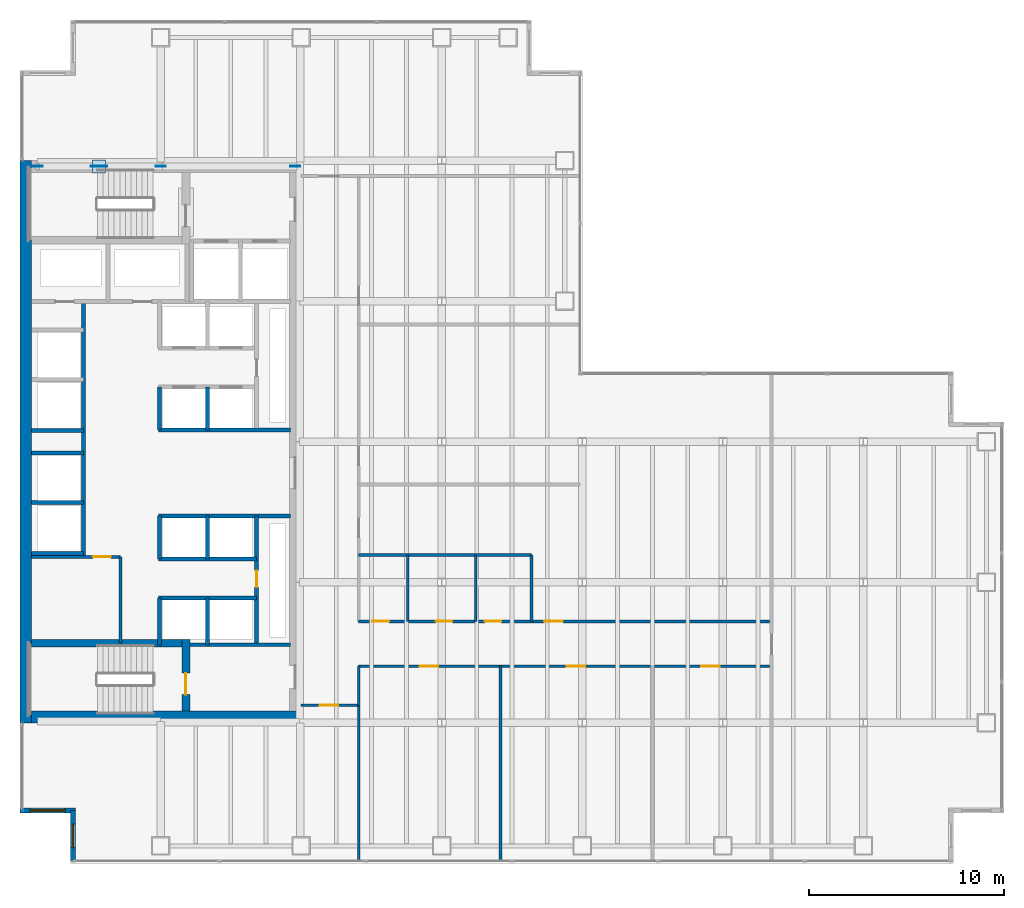
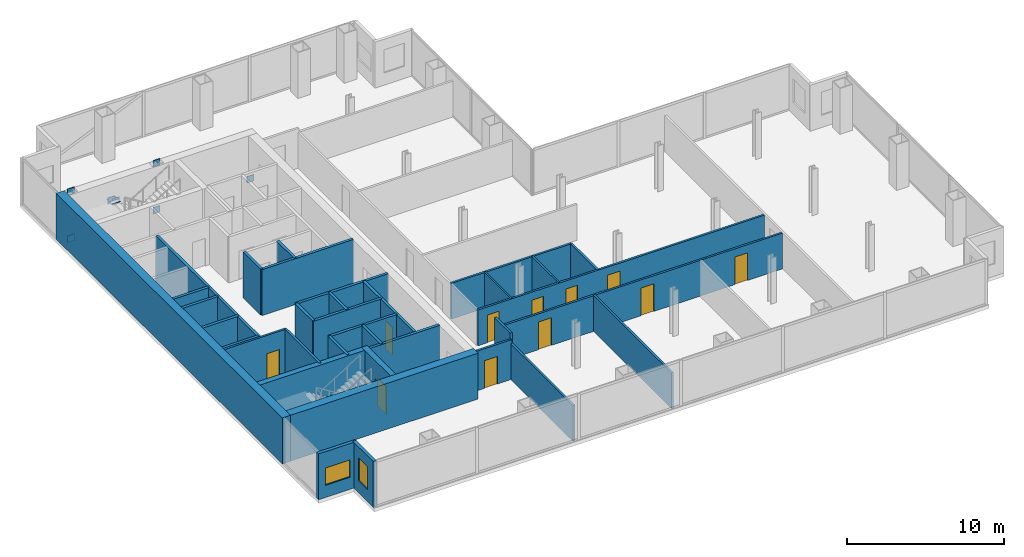
# One storey, part 20 of 23: 35 walls, 11 doors, 8 plates, 2 windows, 13 openings.
"""IFC4 building model written with IfcOpenShell, lengths in metres."""

from ifc_helpers import new_model, si_unit, direction, frame, frame_2d, origin, origin_2d, place, context, subcontext, project, spatial, rectangle, extrude, material, layer, layer_set, type_object, element, fill, save


model = new_model("IFC4")

# Units and contexts
model_context = context("Model", 3, precision=1e-05, world=origin(), true_north=direction((0.0, 1.0)))
body_context = subcontext(model_context, "Body", "Model", "MODEL_VIEW")
ifc_project = project(units=[si_unit("LENGTHUNIT", "METRE"), si_unit("AREAUNIT", "SQUARE_METRE"), si_unit("VOLUMEUNIT", "CUBIC_METRE"), si_unit("PLANEANGLEUNIT", "RADIAN"), si_unit("MASSUNIT", "GRAM", prefix="KILO")], contexts=[model_context])

# Site, building, storey
site_placement = place(None, origin())
site = spatial("IfcSite", under=ifc_project, at=site_placement, CompositionType="ELEMENT")
building_placement = place(site_placement, origin())
building = spatial("IfcBuilding", under=site, at=building_placement, Name="Cobrela Telecom Tower", CompositionType="ELEMENT")
storey_placement = place(building_placement, frame((0.0, 0.0, 88.89990234375)))
storey = spatial("IfcBuildingStorey", under=building, at=storey_placement, Name="L22", CompositionType="ELEMENT", Elevation=88.89990234375)

# Plates
ifc_material_1 = material(Name="Steel ASTM A572 Grade 50", Category="steel")
ifc_layer_1 = layer(ifc_material_1, 0.0419921875)
ifc_layer_set_1 = layer_set([ifc_layer_1], Name="Steel ASTM A572 Grade 50")
plate_type = type_object("IfcPlateType", Name="PLT-NODE-ND1", PredefinedType="USERDEFINED", material=ifc_layer_set_1)
for number, where, z_axis, x_axis, name in (
    (1, (0.89990234375, 35.699951171875, -0.294921875), (0.0, 0.0, 1.0), (1.0, 0.0, 0.0), "Steel node plate PLT-MBR-EXO-L22-N1-A-0"),
    (2, (7.199951171875, 35.699951171875, 3.35498046875), (0.0, 0.0, 1.0), (1.0, 0.0, 0.0), "Steel node plate PLT-MBR-EXO-L22-N1-A-1"),
    (3, (7.199951171875, 35.699951171875, -0.294921875), (0.0, 0.0, 1.0), (-1.0, 0.0, 0.0), "Steel node plate PLT-MBR-EXO-L22-N1-B1-0"),
    (4, (4.219482421875, 35.699951171875, 1.431640625), (0.0, 0.0, 1.0), (-1.0, 0.0, 0.0), "Steel node plate PLT-MBR-EXO-L22-N1-B1-1"),
    (5, (3.88037109375, 35.699951171875, 1.62841796875), (0.0, 0.0, 1.0), (-1.0, 0.0, 0.0), "Steel node plate PLT-MBR-EXO-L22-N1-B2-0"),
    (6, (0.89990234375, 35.699951171875, 3.35498046875), (0.0, 0.0, 1.0), (-1.0, 0.0, 0.0), "Steel node plate PLT-MBR-EXO-L22-N1-B2-1"),
):
    element("IfcPlate", number, at=place(storey_placement, frame(where, z_axis=z_axis, x_axis=x_axis)), inside=storey, type_object=plate_type, Name=name, ObjectType="GUSSET PLATE", PredefinedType="USERDEFINED", context=body_context, shape_type="SweptSolid", body=[
        extrude(rectangle(XDim=0.510009765625, YDim=0.044921875, at=origin_2d()), origin(), (0.0, 0.0, 1.0), 0.510009765625),
    ])
plate_1_placement = place(storey_placement, frame((4.050048828125, 35.699951171875, 1.7626953125), z_axis=(0.0, 0.0, 1.0), x_axis=(1.0, 0.0, 0.0)))
element("IfcPlate", 7, at=plate_1_placement, inside=storey, type_object=plate_type, Name="L22 Core Flange Steel X-Brace Central X-Crossing Gusset Plate", ObjectType="GUSSET PLATE", PredefinedType="USERDEFINED", context=body_context, shape_type="SweptSolid", body=[
    extrude(rectangle(XDim=0.64990234375, YDim=0.64990234375, at=origin_2d()), origin(), (0.0, 0.0, 1.0), 0.044921875),
])
plate_2_placement = place(storey_placement, frame((14.10009765625, 35.699951171875, -0.294921875), z_axis=(0.0, 0.0, 1.0), x_axis=(-1.0, 0.0, 0.0)))
element("IfcPlate", 8, at=plate_2_placement, inside=storey, type_object=plate_type, Name="Steel node plate PLT-MBR-EXO-L22-N2-0", ObjectType="GUSSET PLATE", PredefinedType="USERDEFINED", context=body_context, shape_type="SweptSolid", body=[
    extrude(rectangle(XDim=0.510009765625, YDim=0.044921875, at=origin_2d()), origin(), (0.0, 0.0, 1.0), 0.510009765625),
])

# Walls
ifc_material_2 = material(Name="Concrete C50/60", Category="concrete")
ifc_layer_2 = layer(ifc_material_2, 0.60009765625)
ifc_layer_set_2 = layer_set([ifc_layer_2], Name="Concrete C50/60")
wall_type_1 = type_object("IfcWallType", Name="WALL-CORE-C50-600", PredefinedType="SHEAR", material=ifc_layer_set_2)
wall_1_placement = place(storey_placement, frame((0.300048828125, 7.199951171875, 0.0), z_axis=(0.0, 0.0, 1.0), x_axis=(0.0, 1.0, 0.0)))
element("IfcWall", 9, at=wall_1_placement, inside=storey, type_object=wall_type_1, Name="L22 West Core Shear Wall", PredefinedType="SHEAR", context=body_context, shape_type="SweptSolid", body=[
    extrude(rectangle(XDim=28.800048828125, YDim=0.60009765625, at=frame_2d((14.39990234375, 0.0))), origin(), (0.0, 0.0, 1.0), 3.570068359375),
])
wall_2_placement = place(storey_placement, frame((0.60009765625, 7.5, 0.0), z_axis=(0.0, 0.0, 1.0), x_axis=(1.0, 0.0, 0.0)))
element("IfcWall", 10, at=wall_2_placement, inside=storey, type_object=wall_type_1, Name="L22 South Core Shear Wall", PredefinedType="SHEAR", context=body_context, shape_type="SweptSolid", body=[
    extrude(rectangle(XDim=13.7998046875, YDim=0.60009765625, at=frame_2d((6.89990234375, 0.0))), origin(), (0.0, 0.0, 1.0), 3.570068359375),
])

# Wall, opening, window
ifc_material_3 = material(Name="Concrete C40/50", Category="concrete")
ifc_layer_3 = layer(ifc_material_3, 0.239990234375)
ifc_layer_set_3 = layer_set([ifc_layer_3], Name="Concrete C40/50")
wall_type_2 = type_object("IfcWallType", Name="WALL-EXT-300", PredefinedType="STANDARD", material=ifc_layer_set_3)
wall_3_placement = place(storey_placement, frame((2.7099609375, 0.1201171875, 0.0), z_axis=(0.0, 0.0, 1.0), x_axis=(0.0, 1.0, 0.0)))
wall_3 = element("IfcWall", 11, at=wall_3_placement, inside=storey, type_object=wall_type_2, Name="L22 Insulated Facade Wall 01", PredefinedType="STANDARD", context=body_context, shape_type="SweptSolid", body=[
    extrude(rectangle(XDim=2.58984375, YDim=0.239990234375, at=frame_2d((1.294921875, 0.0))), origin(), (0.0, 0.0, 1.0), 3.570068359375),
])
opening_1_placement = place(wall_3_placement, frame((0.695068359375, 0.0, 0.949951171875)))
opening_1 = element("IfcOpeningElement", 12, at=opening_1_placement, cuts=wall_3, Name="Opening WN-19", PredefinedType="OPENING", context=body_context, shape_type="SweptSolid", body=[
    extrude(rectangle(XDim=1.199951171875, YDim=1.800048828125, at=frame_2d((0.60009765625, 0.89990234375))), frame((0.0, 0.1318359375, 0.0), z_axis=(0.0, -1.0, 0.0), x_axis=(1.0, 0.0, 0.0)), (0.0, 0.0, 1.0), 0.263916015625),
])
ifc_material_4 = material(Name="Solar-Control Bronze Low-E Glass", Category="glass")
window_type_1 = type_object("IfcWindowType", Name="WIN-MOD-1200", PartitioningType="SINGLE_PANEL", PredefinedType="WINDOW", material=ifc_material_4)
window_1_placement = place(opening_1_placement, origin())
window_1 = element("IfcWindow", 13, at=window_1_placement, inside=storey, type_object=window_type_1, Name="L22 Corner Notch Facade Window 100", OverallHeight=1.800048828125, OverallWidth=1.199951171875, PartitioningType="SINGLE_PANEL", PredefinedType="WINDOW", context=body_context, shape_type="SweptSolid", body=[
    extrude(rectangle(XDim=1.199951171875, YDim=1.800048828125, at=frame_2d((0.60009765625, 0.89990234375))), frame((0.0, 0.030029296875, 0.0), z_axis=(0.0, -1.0, 0.0), x_axis=(1.0, 0.0, 0.0)), (0.0, 0.0, 1.0), 0.06005859375),
])
fill(opening_1, window_1)

wall_4_placement = place(storey_placement, frame((2.830078125, 2.7099609375, 0.0), z_axis=(0.0, 0.0, 1.0), x_axis=(-1.0, 0.0, 0.0)))
wall_4 = element("IfcWall", 14, at=wall_4_placement, inside=storey, type_object=wall_type_2, Name="L22 Insulated Facade Wall 02", PredefinedType="STANDARD", context=body_context, shape_type="SweptSolid", body=[
    extrude(rectangle(XDim=2.830078125, YDim=0.239990234375, at=frame_2d((1.4150390625, 0.0))), origin(), (0.0, 0.0, 1.0), 3.570068359375),
])
opening_2_placement = place(wall_4_placement, frame((0.514892578125, 0.0, 0.949951171875)))
opening_2 = element("IfcOpeningElement", 15, at=opening_2_placement, cuts=wall_4, Name="Opening WN-27", PredefinedType="OPENING", context=body_context, shape_type="SweptSolid", body=[
    extrude(rectangle(XDim=1.800048828125, YDim=1.35009765625, at=frame_2d((0.89990234375, 0.675048828125))), frame((0.0, 0.1318359375, 0.0), z_axis=(0.0, -1.0, 0.0), x_axis=(1.0, 0.0, 0.0)), (0.0, 0.0, 1.0), 0.263916015625),
])
window_type_2 = type_object("IfcWindowType", Name="WIN-CLER-1800", PartitioningType="SINGLE_PANEL", PredefinedType="WINDOW", material=ifc_material_4)
window_2_placement = place(opening_2_placement, origin())
window_2 = element("IfcWindow", 16, at=window_2_placement, inside=storey, type_object=window_type_2, Name="L22 Corner Notch Facade Window 101", OverallHeight=1.35009765625, OverallWidth=1.800048828125, PartitioningType="SINGLE_PANEL", PredefinedType="WINDOW", context=body_context, shape_type="SweptSolid", body=[
    extrude(rectangle(XDim=1.800048828125, YDim=1.35009765625, at=frame_2d((0.89990234375, 0.675048828125))), frame((0.0, 0.030029296875, 0.0), z_axis=(0.0, -1.0, 0.0), x_axis=(1.0, 0.0, 0.0)), (0.0, 0.0, 1.0), 0.06005859375),
])
fill(opening_2, window_2)

# Walls
ifc_material_5 = material(Name="Fire-Rated Gypsum Plasterboard")
ifc_layer_4 = layer(ifc_material_5, 0.125)
ifc_layer_set_4 = layer_set([ifc_layer_4], Name="Fire-Rated Gypsum Plasterboard")
wall_type_3 = type_object("IfcWallType", Name="WALL-PART-125", PredefinedType="PARTITIONING", material=ifc_layer_set_4)
for number, where, z_axis, x_axis, name in (
    (17, (19.85009765625, 12.39990234375, 0.0), (0.0, 0.0, 1.0), (0.0, 1.0, 0.0), "L22 Interior Partition W-WCV-1"),
    (18, (23.35009765625, 12.39990234375, 0.0), (0.0, 0.0, 1.0), (0.0, 1.0, 0.0), "L22 Interior Partition W-WCV-2"),
):
    element("IfcWall", number, at=place(storey_placement, frame(where, z_axis=z_axis, x_axis=x_axis)), inside=storey, type_object=wall_type_3, Name=name, PredefinedType="PARTITIONING", context=body_context, shape_type="SweptSolid", body=[
        extrude(rectangle(XDim=3.400146484375, YDim=0.125, at=frame_2d((1.7001953125, 0.0))), origin(), (0.0, 0.0, 1.0), 2.783203125),
    ])

# Wall, opening, door
ifc_layer_5 = layer(ifc_material_5, 0.14990234375)
ifc_layer_set_5 = layer_set([ifc_layer_5], Name="Fire-Rated Gypsum Plasterboard")
wall_type_4 = type_object("IfcWallType", Name="WALL-PART-150", PredefinedType="PARTITIONING", material=ifc_layer_set_5)
wall_5_placement = place(storey_placement, frame((0.60009765625, 15.699951171875, 0.0), z_axis=(0.0, 0.0, 1.0), x_axis=(1.0, 0.0, 0.0)))
wall_5 = element("IfcWall", 19, at=wall_5_placement, inside=storey, type_object=wall_type_4, Name="L22 Interior Partition CW-FLEX-N", PredefinedType="PARTITIONING", context=body_context, shape_type="SweptSolid", body=[
    extrude(rectangle(XDim=4.5498046875, YDim=0.14990234375, at=frame_2d((2.27490234375, 0.0))), origin(), (0.0, 0.0, 1.0), 3.570068359375),
])
opening_3_placement = place(wall_5_placement, frame((3.14990234375, 0.0, 0.0)))
opening_3 = element("IfcOpeningElement", 20, at=opening_3_placement, cuts=wall_5, Name="Opening DR-41", PredefinedType="OPENING", context=body_context, shape_type="SweptSolid", body=[
    extrude(rectangle(XDim=0.89990234375, YDim=2.14990234375, at=frame_2d((0.449951171875, 1.074951171875))), frame((0.0, 0.0869140625, 0.0), z_axis=(0.0, -1.0, 0.0), x_axis=(1.0, 0.0, 0.0)), (0.0, 0.0, 1.0), 0.173828125),
])
ifc_material_6 = material(Name="Solid Engineered Oak Timber", Category="wood")
door_type_1 = type_object("IfcDoorType", Name="DOOR-INT-900", OperationType="SINGLE_SWING_LEFT", PredefinedType="DOOR", material=ifc_material_6)
door_1_placement = place(opening_3_placement, origin())
door_1 = element("IfcDoor", 21, at=door_1_placement, inside=storey, type_object=door_type_1, Name="L22 Door DR-41", OperationType="SINGLE_SWING_LEFT", OverallHeight=2.14990234375, OverallWidth=0.89990234375, PredefinedType="DOOR", context=body_context, shape_type="SweptSolid", body=[
    extrude(rectangle(XDim=0.89990234375, YDim=2.14990234375, at=frame_2d((0.449951171875, 1.074951171875))), frame((0.0, 0.02490234375, 0.0), z_axis=(0.0, -1.0, 0.0), x_axis=(1.0, 0.0, 0.0)), (0.0, 0.0, 1.0), 0.050048828125),
])
fill(opening_3, door_1)

# Wall
wall_6_placement = place(storey_placement, frame((5.14990234375, 11.280029296875, 0.0), z_axis=(0.0, 0.0, 1.0), x_axis=(0.0, 1.0, 0.0)))
element("IfcWall", 22, at=wall_6_placement, inside=storey, type_object=wall_type_4, Name="L22 Interior Partition CW-FLEX-E", PredefinedType="PARTITIONING", context=body_context, shape_type="SweptSolid", body=[
    extrude(rectangle(XDim=4.419921875, YDim=0.14990234375, at=frame_2d((2.2099609375, 0.0))), origin(), (0.0, 0.0, 1.0), 3.570068359375),
])

# Wall, opening, door
wall_7_placement = place(storey_placement, frame((14.39990234375, 8.10009765625, 0.0), z_axis=(0.0, 0.0, 1.0), x_axis=(1.0, 0.0, 0.0)))
wall_7 = element("IfcWall", 23, at=wall_7_placement, inside=storey, type_object=wall_type_4, Name="L22 Interior Partition W-C-S0", PredefinedType="PARTITIONING", context=body_context, shape_type="SweptSolid", body=[
    extrude(rectangle(XDim=2.9501953125, YDim=0.14990234375, at=frame_2d((1.47509765625, 0.0))), origin(), (0.0, 0.0, 1.0), 3.088134765625),
])
opening_4_placement = place(wall_7_placement, frame((0.949951171875, 0.0, 0.0)))
opening_4 = element("IfcOpeningElement", 24, at=opening_4_placement, cuts=wall_7, Name="Opening DR-67", PredefinedType="OPENING", context=body_context, shape_type="SweptSolid", body=[
    extrude(rectangle(XDim=0.949951171875, YDim=2.14990234375, at=frame_2d((0.47509765625, 1.074951171875))), frame((0.0, 0.0869140625, 0.0), z_axis=(0.0, -1.0, 0.0), x_axis=(1.0, 0.0, 0.0)), (0.0, 0.0, 1.0), 0.173828125),
])
door_type_2 = type_object("IfcDoorType", Name="DOOR-INT-950", OperationType="SINGLE_SWING_LEFT", PredefinedType="DOOR", material=ifc_material_6)
door_2_placement = place(opening_4_placement, origin())
door_2 = element("IfcDoor", 25, at=door_2_placement, inside=storey, type_object=door_type_2, Name="L22 Door DR-67", OperationType="SINGLE_SWING_RIGHT", OverallHeight=2.14990234375, OverallWidth=0.949951171875, PredefinedType="DOOR", context=body_context, shape_type="SweptSolid", body=[
    extrude(rectangle(XDim=0.949951171875, YDim=2.14990234375, at=frame_2d((0.47509765625, 1.074951171875))), frame((0.0, 0.02490234375, 0.0), z_axis=(0.0, -1.0, 0.0), x_axis=(1.0, 0.0, 0.0)), (0.0, 0.0, 1.0), 0.050048828125),
])
fill(opening_4, door_2)

# Wall
wall_8_placement = place(storey_placement, frame((17.35009765625, 8.10009765625, 0.0), z_axis=(0.0, 0.0, 1.0), x_axis=(0.0, 1.0, 0.0)))
element("IfcWall", 26, at=wall_8_placement, inside=storey, type_object=wall_type_4, Name="L22 Interior Partition W-C-E1", PredefinedType="PARTITIONING", context=body_context, shape_type="SweptSolid", body=[
    extrude(rectangle(XDim=2.0, YDim=0.14990234375, at=frame_2d((1.0, 0.0))), origin(), (0.0, 0.0, 1.0), 3.570068359375),
])

# Wall, openings, doors
wall_9_placement = place(storey_placement, frame((17.35009765625, 10.10009765625, 0.0), z_axis=(0.0, 0.0, 1.0), x_axis=(1.0, 0.0, 0.0)))
wall_9 = element("IfcWall", 27, at=wall_9_placement, inside=storey, type_object=wall_type_4, Name="L22 Interior Partition W-C-HS", PredefinedType="PARTITIONING", context=body_context, shape_type="SweptSolid", body=[
    extrude(rectangle(XDim=21.0498046875, YDim=0.14990234375, at=frame_2d((10.52490234375, 0.0))), origin(), (0.0, 0.0, 1.0), 2.783203125),
])
opening_5_placement = place(wall_9_placement, frame((3.1201171875, 0.0, 0.0)))
opening_5 = element("IfcOpeningElement", 28, at=opening_5_placement, cuts=wall_9, Name="Opening DR-67", PredefinedType="OPENING", context=body_context, shape_type="SweptSolid", body=[
    extrude(rectangle(XDim=0.949951171875, YDim=2.14990234375, at=frame_2d((0.47509765625, 1.074951171875))), frame((0.0, 0.0869140625, 0.0), z_axis=(0.0, -1.0, 0.0), x_axis=(1.0, 0.0, 0.0)), (0.0, 0.0, 1.0), 0.173828125),
])
opening_6_placement = place(wall_9_placement, frame((10.64990234375, 0.0, 0.0)))
opening_6 = element("IfcOpeningElement", 29, at=opening_6_placement, cuts=wall_9, Name="Opening DR-67", PredefinedType="OPENING", context=body_context, shape_type="SweptSolid", body=[
    extrude(rectangle(XDim=0.949951171875, YDim=2.14990234375, at=frame_2d((0.47509765625, 1.074951171875))), frame((0.0, 0.0869140625, 0.0), z_axis=(0.0, -1.0, 0.0), x_axis=(1.0, 0.0, 0.0)), (0.0, 0.0, 1.0), 0.173828125),
])
opening_7_placement = place(wall_9_placement, frame((17.550048828125, 0.0, 0.0)))
opening_7 = element("IfcOpeningElement", 30, at=opening_7_placement, cuts=wall_9, Name="Opening DR-67", PredefinedType="OPENING", context=body_context, shape_type="SweptSolid", body=[
    extrude(rectangle(XDim=0.949951171875, YDim=2.14990234375, at=frame_2d((0.47509765625, 1.074951171875))), frame((0.0, 0.0869140625, 0.0), z_axis=(0.0, -1.0, 0.0), x_axis=(1.0, 0.0, 0.0)), (0.0, 0.0, 1.0), 0.173828125),
])
door_3_placement = place(opening_5_placement, origin())
door_3 = element("IfcDoor", 31, at=door_3_placement, inside=storey, type_object=door_type_2, Name="L22 Door DR-67", OperationType="SINGLE_SWING_LEFT", OverallHeight=2.14990234375, OverallWidth=0.949951171875, PredefinedType="DOOR", context=body_context, shape_type="SweptSolid", body=[
    extrude(rectangle(XDim=0.949951171875, YDim=2.14990234375, at=frame_2d((0.47509765625, 1.074951171875))), frame((0.0, 0.02490234375, 0.0), z_axis=(0.0, -1.0, 0.0), x_axis=(1.0, 0.0, 0.0)), (0.0, 0.0, 1.0), 0.050048828125),
])
fill(opening_5, door_3)
door_4_placement = place(opening_6_placement, origin())
door_4 = element("IfcDoor", 32, at=door_4_placement, inside=storey, type_object=door_type_2, Name="L22 Door DR-67", OperationType="SINGLE_SWING_RIGHT", OverallHeight=2.14990234375, OverallWidth=0.949951171875, PredefinedType="DOOR", context=body_context, shape_type="SweptSolid", body=[
    extrude(rectangle(XDim=0.949951171875, YDim=2.14990234375, at=frame_2d((0.47509765625, 1.074951171875))), frame((0.0, 0.02490234375, 0.0), z_axis=(0.0, -1.0, 0.0), x_axis=(1.0, 0.0, 0.0)), (0.0, 0.0, 1.0), 0.050048828125),
])
fill(opening_6, door_4)
door_5_placement = place(opening_7_placement, origin())
door_5 = element("IfcDoor", 33, at=door_5_placement, inside=storey, type_object=door_type_2, Name="L22 Door DR-67", OperationType="SINGLE_SWING_LEFT", OverallHeight=2.14990234375, OverallWidth=0.949951171875, PredefinedType="DOOR", context=body_context, shape_type="SweptSolid", body=[
    extrude(rectangle(XDim=0.949951171875, YDim=2.14990234375, at=frame_2d((0.47509765625, 1.074951171875))), frame((0.0, 0.02490234375, 0.0), z_axis=(0.0, -1.0, 0.0), x_axis=(1.0, 0.0, 0.0)), (0.0, 0.0, 1.0), 0.050048828125),
])
fill(opening_7, door_5)

wall_10_placement = place(storey_placement, frame((17.35009765625, 12.39990234375, 0.0), z_axis=(0.0, 0.0, 1.0), x_axis=(1.0, 0.0, 0.0)))
wall_10 = element("IfcWall", 34, at=wall_10_placement, inside=storey, type_object=wall_type_4, Name="L22 Interior Partition W-C-HN", PredefinedType="PARTITIONING", context=body_context, shape_type="SweptSolid", body=[
    extrude(rectangle(XDim=21.0498046875, YDim=0.14990234375, at=frame_2d((10.52490234375, 0.0))), origin(), (0.0, 0.0, 1.0), 2.783203125),
])
opening_8_placement = place(wall_10_placement, frame((0.699951171875, 0.0, 0.0)))
opening_8 = element("IfcOpeningElement", 35, at=opening_8_placement, cuts=wall_10, Name="Opening DR-11", PredefinedType="OPENING", context=body_context, shape_type="SweptSolid", body=[
    extrude(rectangle(XDim=0.85009765625, YDim=2.14990234375, at=frame_2d((0.425048828125, 1.074951171875))), frame((0.0, 0.0869140625, 0.0), z_axis=(0.0, -1.0, 0.0), x_axis=(1.0, 0.0, 0.0)), (0.0, 0.0, 1.0), 0.173828125),
])
opening_9_placement = place(wall_10_placement, frame((3.949951171875, 0.0, 0.0)))
opening_9 = element("IfcOpeningElement", 36, at=opening_9_placement, cuts=wall_10, Name="Opening DR-11", PredefinedType="OPENING", context=body_context, shape_type="SweptSolid", body=[
    extrude(rectangle(XDim=0.85009765625, YDim=2.14990234375, at=frame_2d((0.425048828125, 1.074951171875))), frame((0.0, 0.0869140625, 0.0), z_axis=(0.0, -1.0, 0.0), x_axis=(1.0, 0.0, 0.0)), (0.0, 0.0, 1.0), 0.173828125),
])
opening_10_placement = place(wall_10_placement, frame((6.4599609375, 0.0, 0.0)))
opening_10 = element("IfcOpeningElement", 37, at=opening_10_placement, cuts=wall_10, Name="Opening DR-11", PredefinedType="OPENING", context=body_context, shape_type="SweptSolid", body=[
    extrude(rectangle(XDim=0.85009765625, YDim=2.14990234375, at=frame_2d((0.425048828125, 1.074951171875))), frame((0.0, 0.0869140625, 0.0), z_axis=(0.0, -1.0, 0.0), x_axis=(1.0, 0.0, 0.0)), (0.0, 0.0, 1.0), 0.173828125),
])
opening_11_placement = place(wall_10_placement, frame((9.5, 0.0, 0.0)))
opening_11 = element("IfcOpeningElement", 38, at=opening_11_placement, cuts=wall_10, Name="Opening DR-67", PredefinedType="OPENING", context=body_context, shape_type="SweptSolid", body=[
    extrude(rectangle(XDim=0.949951171875, YDim=2.14990234375, at=frame_2d((0.47509765625, 1.074951171875))), frame((0.0, 0.0869140625, 0.0), z_axis=(0.0, -1.0, 0.0), x_axis=(1.0, 0.0, 0.0)), (0.0, 0.0, 1.0), 0.173828125),
])
door_type_3 = type_object("IfcDoorType", Name="DOOR-INT-850", OperationType="SINGLE_SWING_LEFT", PredefinedType="DOOR", material=ifc_material_6)
door_6_placement = place(opening_8_placement, origin())
door_6 = element("IfcDoor", 39, at=door_6_placement, inside=storey, type_object=door_type_3, Name="L22 Door DR-11", OperationType="SINGLE_SWING_LEFT", OverallHeight=2.14990234375, OverallWidth=0.85009765625, PredefinedType="DOOR", context=body_context, shape_type="SweptSolid", body=[
    extrude(rectangle(XDim=0.85009765625, YDim=2.14990234375, at=frame_2d((0.425048828125, 1.074951171875))), frame((0.0, 0.02490234375, 0.0), z_axis=(0.0, -1.0, 0.0), x_axis=(1.0, 0.0, 0.0)), (0.0, 0.0, 1.0), 0.050048828125),
])
fill(opening_8, door_6)
door_7_placement = place(opening_9_placement, origin())
door_7 = element("IfcDoor", 40, at=door_7_placement, inside=storey, type_object=door_type_3, Name="L22 Door DR-11", OperationType="SINGLE_SWING_RIGHT", OverallHeight=2.14990234375, OverallWidth=0.85009765625, PredefinedType="DOOR", context=body_context, shape_type="SweptSolid", body=[
    extrude(rectangle(XDim=0.85009765625, YDim=2.14990234375, at=frame_2d((0.425048828125, 1.074951171875))), frame((0.0, 0.02490234375, 0.0), z_axis=(0.0, -1.0, 0.0), x_axis=(1.0, 0.0, 0.0)), (0.0, 0.0, 1.0), 0.050048828125),
])
fill(opening_9, door_7)
door_8_placement = place(opening_10_placement, origin())
door_8 = element("IfcDoor", 41, at=door_8_placement, inside=storey, type_object=door_type_3, Name="L22 Door DR-11", OperationType="SINGLE_SWING_LEFT", OverallHeight=2.14990234375, OverallWidth=0.85009765625, PredefinedType="DOOR", context=body_context, shape_type="SweptSolid", body=[
    extrude(rectangle(XDim=0.85009765625, YDim=2.14990234375, at=frame_2d((0.425048828125, 1.074951171875))), frame((0.0, 0.02490234375, 0.0), z_axis=(0.0, -1.0, 0.0), x_axis=(1.0, 0.0, 0.0)), (0.0, 0.0, 1.0), 0.050048828125),
])
fill(opening_10, door_8)
door_9_placement = place(opening_11_placement, origin())
door_9 = element("IfcDoor", 42, at=door_9_placement, inside=storey, type_object=door_type_2, Name="L22 Door DR-67", OperationType="SINGLE_SWING_RIGHT", OverallHeight=2.14990234375, OverallWidth=0.949951171875, PredefinedType="DOOR", context=body_context, shape_type="SweptSolid", body=[
    extrude(rectangle(XDim=0.949951171875, YDim=2.14990234375, at=frame_2d((0.47509765625, 1.074951171875))), frame((0.0, 0.02490234375, 0.0), z_axis=(0.0, -1.0, 0.0), x_axis=(1.0, 0.0, 0.0)), (0.0, 0.0, 1.0), 0.050048828125),
])
fill(opening_11, door_9)

# Walls
wall_11_placement = place(storey_placement, frame((17.35009765625, 15.800048828125, 0.0), z_axis=(0.0, 0.0, 1.0), x_axis=(1.0, 0.0, 0.0)))
element("IfcWall", 43, at=wall_11_placement, inside=storey, type_object=wall_type_4, Name="L22 Interior Partition W-WC-N", PredefinedType="PARTITIONING", context=body_context, shape_type="SweptSolid", body=[
    extrude(rectangle(XDim=8.849853515625, YDim=0.14990234375, at=frame_2d((4.4248046875, 0.0))), origin(), (0.0, 0.0, 1.0), 2.783203125),
])
wall_12_placement = place(storey_placement, frame((26.199951171875, 12.39990234375, 0.0), z_axis=(0.0, 0.0, 1.0), x_axis=(0.0, 1.0, 0.0)))
element("IfcWall", 44, at=wall_12_placement, inside=storey, type_object=wall_type_4, Name="L22 Interior Partition W-WC-R", PredefinedType="PARTITIONING", context=body_context, shape_type="SweptSolid", body=[
    extrude(rectangle(XDim=3.400146484375, YDim=0.14990234375, at=frame_2d((1.7001953125, 0.0))), origin(), (0.0, 0.0, 1.0), 2.783203125),
])
wall_13_placement = place(storey_placement, frame((17.35009765625, 0.1201171875, 0.0), z_axis=(0.0, 0.0, 1.0), x_axis=(0.0, 1.0, 0.0)))
element("IfcWall", 45, at=wall_13_placement, inside=storey, type_object=wall_type_4, Name="L22 Interior Partition W-SW-E", PredefinedType="PARTITIONING", context=body_context, shape_type="SweptSolid", body=[
    extrude(rectangle(XDim=7.97998046875, YDim=0.14990234375, at=frame_2d((3.989990234375, 0.0))), origin(), (0.0, 0.0, 1.0), 2.783203125),
])
wall_14_placement = place(storey_placement, frame((24.60009765625, 0.1201171875, 0.0), z_axis=(0.0, 0.0, 1.0), x_axis=(0.0, 1.0, 0.0)))
element("IfcWall", 46, at=wall_14_placement, inside=storey, type_object=wall_type_4, Name="L22 Interior Partition W-SV-1", PredefinedType="PARTITIONING", context=body_context, shape_type="SweptSolid", body=[
    extrude(rectangle(XDim=9.97998046875, YDim=0.14990234375, at=frame_2d((4.989990234375, 0.0))), origin(), (0.0, 0.0, 1.0), 2.783203125),
])
ifc_layer_6 = layer(ifc_material_5, 0.199951171875)
ifc_layer_set_6 = layer_set([ifc_layer_6], Name="Fire-Rated Gypsum Plasterboard")
wall_type_5 = type_object("IfcWallType", Name="WALL-SHAFT-200", PredefinedType="PARTITIONING", material=ifc_layer_set_6)
wall_15_placement = place(storey_placement, frame((8.699951171875, 11.199951171875, 0.0), z_axis=(0.0, 0.0, 1.0), x_axis=(1.0, 0.0, 0.0)))
element("IfcWall", 47, at=wall_15_placement, inside=storey, type_object=wall_type_5, Name="L22 Shaft Enclosure CW-ST2L-N", PredefinedType="PARTITIONING", context=body_context, shape_type="SweptSolid", body=[
    extrude(rectangle(XDim=5.150146484375, YDim=0.199951171875, at=frame_2d((2.5751953125, 0.0))), origin(), (0.0, 0.0, 1.0), 3.570068359375),
])
wall_16_placement = place(storey_placement, frame((3.25, 15.699951171875, 0.0), z_axis=(0.0, 0.0, 1.0), x_axis=(0.0, 1.0, 0.0)))
element("IfcWall", 48, at=wall_16_placement, inside=storey, type_object=wall_type_5, Name="L22 Shaft Enclosure CW-PLH-E", PredefinedType="PARTITIONING", context=body_context, shape_type="SweptSolid", body=[
    extrude(rectangle(XDim=13.080078125, YDim=0.199951171875, at=frame_2d((6.5400390625, 0.0))), origin(), (0.0, 0.0, 1.0), 3.570068359375),
])
for number, where, z_axis, x_axis, name in (
    (49, (0.60009765625, 15.8798828125, 0.0), (0.0, 0.0, 1.0), (1.0, 0.0, 0.0), "L22 Shaft Enclosure CW-PLH-D9"),
    (50, (0.60009765625, 18.47998046875, 0.0), (0.0, 0.0, 1.0), (1.0, 0.0, 0.0), "L22 Shaft Enclosure CW-PLH-D10"),
    (51, (0.60009765625, 22.179931640625, 0.0), (0.0, 0.0, 1.0), (1.0, 0.0, 0.0), "L22 Shaft Enclosure CW-PLH-D11"),
    (52, (0.60009765625, 21.02001953125, 0.0), (0.0, 0.0, 1.0), (1.0, 0.0, 0.0), "L22 Shaft Enclosure CW-PLH-MID"),
):
    element("IfcWall", number, at=place(storey_placement, frame(where, z_axis=z_axis, x_axis=x_axis)), inside=storey, type_object=wall_type_5, Name=name, PredefinedType="PARTITIONING", context=body_context, shape_type="SweptSolid", body=[
        extrude(rectangle(XDim=2.64990234375, YDim=0.199951171875, at=frame_2d((1.324951171875, 0.0))), origin(), (0.0, 0.0, 1.0), 3.570068359375),
    ])
wall_17_placement = place(storey_placement, frame((7.10009765625, 22.199951171875, 0.0), z_axis=(0.0, 0.0, 1.0), x_axis=(1.0, 0.0, 0.0)))
element("IfcWall", 53, at=wall_17_placement, inside=storey, type_object=wall_type_5, Name="L22 Shaft Enclosure CW-PLL-B0", PredefinedType="PARTITIONING", context=body_context, shape_type="SweptSolid", body=[
    extrude(rectangle(XDim=6.75, YDim=0.199951171875, at=frame_2d((3.375, 0.0))), origin(), (0.0, 0.0, 1.0), 3.570068359375),
])
for number, where, z_axis, x_axis, name in (
    (54, (7.14990234375, 22.199951171875, 0.0), (0.0, 0.0, 1.0), (0.0, 1.0, 0.0), "L22 Shaft Enclosure CW-PLL-V1"),
    (55, (9.60009765625, 22.199951171875, 0.0), (0.0, 0.0, 1.0), (0.0, 1.0, 0.0), "L22 Shaft Enclosure CW-PLL-V2"),
):
    element("IfcWall", number, at=place(storey_placement, frame(where, z_axis=z_axis, x_axis=x_axis)), inside=storey, type_object=wall_type_5, Name=name, PredefinedType="PARTITIONING", context=body_context, shape_type="SweptSolid", body=[
        extrude(rectangle(XDim=2.199951171875, YDim=0.199951171875, at=frame_2d((1.10009765625, 0.0))), origin(), (0.0, 0.0, 1.0), 3.570068359375),
    ])
wall_18_placement = place(storey_placement, frame((7.10009765625, 17.800048828125, 0.0), z_axis=(0.0, 0.0, 1.0), x_axis=(1.0, 0.0, 0.0)))
element("IfcWall", 56, at=wall_18_placement, inside=storey, type_object=wall_type_5, Name="L22 Shaft Enclosure CW-PLM-T0", PredefinedType="PARTITIONING", context=body_context, shape_type="SweptSolid", body=[
    extrude(rectangle(XDim=6.75, YDim=0.199951171875, at=frame_2d((3.375, 0.0))), origin(), (0.0, 0.0, 1.0), 3.570068359375),
])
for number, where, z_axis, x_axis, name in (
    (57, (7.10009765625, 15.60009765625, 0.0), (0.0, 0.0, 1.0), (1.0, 0.0, 0.0), "L22 Shaft Enclosure CW-PLM-N"),
    (58, (7.10009765625, 13.60009765625, 0.0), (0.0, 0.0, 1.0), (1.0, 0.0, 0.0), "L22 Shaft Enclosure CW-PLM-S"),
):
    element("IfcWall", number, at=place(storey_placement, frame(where, z_axis=z_axis, x_axis=x_axis)), inside=storey, type_object=wall_type_5, Name=name, PredefinedType="PARTITIONING", context=body_context, shape_type="SweptSolid", body=[
        extrude(rectangle(XDim=5.02001953125, YDim=0.199951171875, at=frame_2d((2.510009765625, 0.0))), origin(), (0.0, 0.0, 1.0), 3.570068359375),
    ])
wall_19_placement = place(storey_placement, frame((7.14990234375, 15.60009765625, 0.0), z_axis=(0.0, 0.0, 1.0), x_axis=(0.0, 1.0, 0.0)))
element("IfcWall", 59, at=wall_19_placement, inside=storey, type_object=wall_type_5, Name="L22 Shaft Enclosure CW-PLM-V1", PredefinedType="PARTITIONING", context=body_context, shape_type="SweptSolid", body=[
    extrude(rectangle(XDim=2.199951171875, YDim=0.199951171875, at=frame_2d((1.10009765625, 0.0))), origin(), (0.0, 0.0, 1.0), 3.570068359375),
])
wall_20_placement = place(storey_placement, frame((7.14990234375, 11.199951171875, 0.0), z_axis=(0.0, 0.0, 1.0), x_axis=(0.0, 1.0, 0.0)))
element("IfcWall", 60, at=wall_20_placement, inside=storey, type_object=wall_type_5, Name="L22 Shaft Enclosure CW-PLM-V1B", PredefinedType="PARTITIONING", context=body_context, shape_type="SweptSolid", body=[
    extrude(rectangle(XDim=2.400146484375, YDim=0.199951171875, at=frame_2d((1.2001953125, 0.0))), origin(), (0.0, 0.0, 1.0), 3.570068359375),
])
wall_21_placement = place(storey_placement, frame((9.60009765625, 15.60009765625, 0.0), z_axis=(0.0, 0.0, 1.0), x_axis=(0.0, 1.0, 0.0)))
element("IfcWall", 61, at=wall_21_placement, inside=storey, type_object=wall_type_5, Name="L22 Shaft Enclosure CW-PLM-V2", PredefinedType="PARTITIONING", context=body_context, shape_type="SweptSolid", body=[
    extrude(rectangle(XDim=2.199951171875, YDim=0.199951171875, at=frame_2d((1.10009765625, 0.0))), origin(), (0.0, 0.0, 1.0), 3.570068359375),
])
wall_22_placement = place(storey_placement, frame((9.60009765625, 11.199951171875, 0.0), z_axis=(0.0, 0.0, 1.0), x_axis=(0.0, 1.0, 0.0)))
element("IfcWall", 62, at=wall_22_placement, inside=storey, type_object=wall_type_5, Name="L22 Shaft Enclosure CW-PLM-V2B", PredefinedType="PARTITIONING", context=body_context, shape_type="SweptSolid", body=[
    extrude(rectangle(XDim=2.400146484375, YDim=0.199951171875, at=frame_2d((1.2001953125, 0.0))), origin(), (0.0, 0.0, 1.0), 3.570068359375),
])

# Wall, opening, door
wall_23_placement = place(storey_placement, frame((12.1201171875, 11.199951171875, 0.0), z_axis=(0.0, 0.0, 1.0), x_axis=(0.0, 1.0, 0.0)))
wall_23 = element("IfcWall", 63, at=wall_23_placement, inside=storey, type_object=wall_type_5, Name="L22 Shaft Enclosure CW-PLM-V3", PredefinedType="PARTITIONING", context=body_context, shape_type="SweptSolid", body=[
    extrude(rectangle(XDim=6.60009765625, YDim=0.199951171875, at=frame_2d((3.300048828125, 0.0))), origin(), (0.0, 0.0, 1.0), 3.570068359375),
])
opening_12_placement = place(wall_23_placement, frame((2.949951171875, 0.0, 0.0)))
opening_12 = element("IfcOpeningElement", 64, at=opening_12_placement, cuts=wall_23, Name="Opening DR-11", PredefinedType="OPENING", context=body_context, shape_type="SweptSolid", body=[
    extrude(rectangle(XDim=0.85009765625, YDim=2.14990234375, at=frame_2d((0.425048828125, 1.074951171875))), frame((0.0, 0.11181640625, 0.0), z_axis=(0.0, -1.0, 0.0), x_axis=(1.0, 0.0, 0.0)), (0.0, 0.0, 1.0), 0.223876953125),
])
door_10_placement = place(opening_12_placement, origin())
door_10 = element("IfcDoor", 65, at=door_10_placement, inside=storey, type_object=door_type_3, Name="L22 Door DR-11", OperationType="SINGLE_SWING_RIGHT", OverallHeight=2.14990234375, OverallWidth=0.85009765625, PredefinedType="DOOR", context=body_context, shape_type="SweptSolid", body=[
    extrude(rectangle(XDim=0.85009765625, YDim=2.14990234375, at=frame_2d((0.425048828125, 1.074951171875))), frame((0.0, 0.02490234375, 0.0), z_axis=(0.0, -1.0, 0.0), x_axis=(1.0, 0.0, 0.0)), (0.0, 0.0, 1.0), 0.050048828125),
])
fill(opening_12, door_10)

# Wall
ifc_layer_7 = layer(ifc_material_3, 0.39990234375)
ifc_layer_set_7 = layer_set([ifc_layer_7], Name="Concrete C40/50")
wall_type_6 = type_object("IfcWallType", Name="WALL-SHAFT-C40-400", PredefinedType="SHEAR", material=ifc_layer_set_7)
wall_24_placement = place(storey_placement, frame((0.60009765625, 11.280029296875, 0.0), z_axis=(0.0, 0.0, 1.0), x_axis=(1.0, 0.0, 0.0)))
element("IfcWall", 66, at=wall_24_placement, inside=storey, type_object=wall_type_6, Name="L22 South Stair Shear Wall", PredefinedType="SHEAR", context=body_context, shape_type="SweptSolid", body=[
    extrude(rectangle(XDim=7.699951171875, YDim=0.39990234375, at=frame_2d((3.85009765625, 0.0))), origin(), (0.0, 0.0, 1.0), 3.570068359375),
])

# Wall, opening, door
wall_25_placement = place(storey_placement, frame((8.5, 7.800048828125, 0.0), z_axis=(0.0, 0.0, 1.0), x_axis=(0.0, 1.0, 0.0)))
wall_25 = element("IfcWall", 67, at=wall_25_placement, inside=storey, type_object=wall_type_6, Name="L22 South Stair Lobby Shear Wall", PredefinedType="SHEAR", context=body_context, shape_type="SweptSolid", body=[
    extrude(rectangle(XDim=3.679931640625, YDim=0.39990234375, at=frame_2d((1.83984375, 0.0))), origin(), (0.0, 0.0, 1.0), 3.570068359375),
])
opening_13_placement = place(wall_25_placement, frame((0.85009765625, 0.0, 0.0)))
opening_13 = element("IfcOpeningElement", 68, at=opening_13_placement, cuts=wall_25, Name="Opening FD-90", PredefinedType="OPENING", context=body_context, shape_type="SweptSolid", body=[
    extrude(rectangle(XDim=1.10009765625, YDim=2.14990234375, at=frame_2d((0.550048828125, 1.074951171875))), frame((0.0, 0.2119140625, 0.0), z_axis=(0.0, -1.0, 0.0), x_axis=(1.0, 0.0, 0.0)), (0.0, 0.0, 1.0), 0.423828125),
])
ifc_material_7 = material(Name="Steel ASTM A36", Category="steel")
door_type_4 = type_object("IfcDoorType", Name="DOOR-FD90-1100", OperationType="SINGLE_SWING_LEFT", PredefinedType="DOOR", material=ifc_material_7)
door_11_placement = place(opening_13_placement, origin())
door_11 = element("IfcDoor", 69, at=door_11_placement, inside=storey, type_object=door_type_4, Name="L22 Door FD-90", OperationType="SINGLE_SWING_LEFT", OverallHeight=2.14990234375, OverallWidth=1.10009765625, PredefinedType="DOOR", context=body_context, shape_type="SweptSolid", body=[
    extrude(rectangle(XDim=1.10009765625, YDim=2.14990234375, at=frame_2d((0.550048828125, 1.074951171875))), frame((0.0, 0.02490234375, 0.0), z_axis=(0.0, -1.0, 0.0), x_axis=(1.0, 0.0, 0.0)), (0.0, 0.0, 1.0), 0.050048828125),
])
fill(opening_13, door_11)

save(model, "model.ifc")
